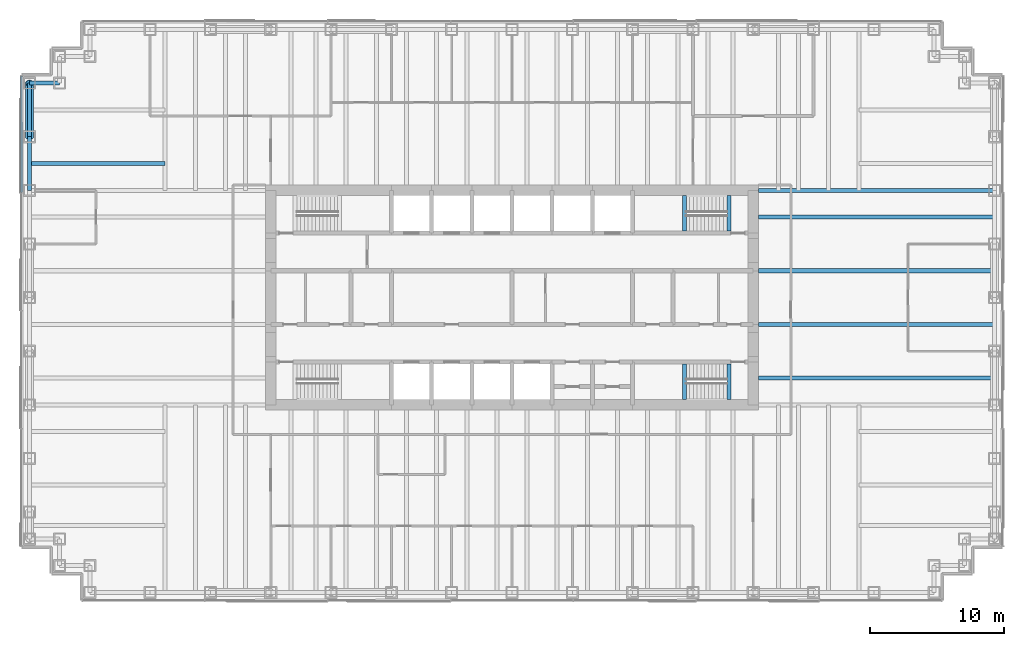
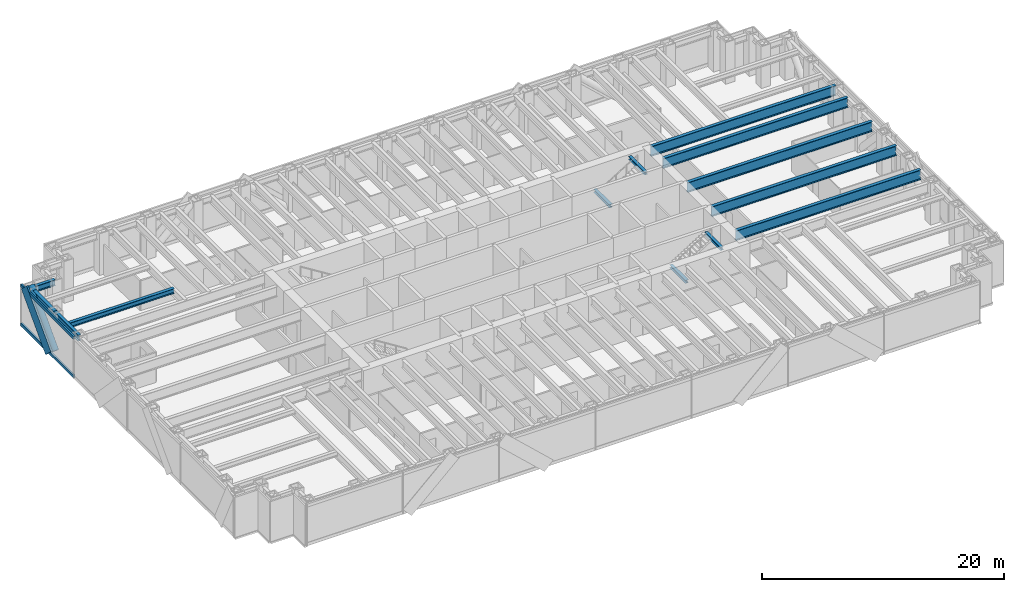
# One storey, part 4 of 14: 13 beams, 4 members, 1 element without a shape of its own.
"""IFC4 building model written with IfcOpenShell, lengths in metres."""

from ifc_helpers import new_model, si_unit, direction, frame, origin, origin_2d, place, context, subcontext, project, spatial, rectangle, hollow_circle, i_section, extrude, material, material_profile, profile_set, type_object, element, aggregate, save


model = new_model("IFC4")

# Units and contexts
model_context = context("Model", 3, precision=1e-05, world=origin(), true_north=direction((0.0, 1.0)))
body_context = subcontext(model_context, "Body", "Model", "MODEL_VIEW")
ifc_project = project(units=[si_unit("LENGTHUNIT", "METRE"), si_unit("AREAUNIT", "SQUARE_METRE"), si_unit("VOLUMEUNIT", "CUBIC_METRE"), si_unit("PLANEANGLEUNIT", "RADIAN"), si_unit("MASSUNIT", "GRAM", prefix="KILO")], contexts=[model_context])

# Site, building, storey
site_placement = place(None, origin())
site = spatial("IfcSite", under=ifc_project, at=site_placement, CompositionType="ELEMENT")
building_placement = place(site_placement, origin())
building = spatial("IfcBuilding", under=site, at=building_placement, Name="Rheinbord Bourse Tower", CompositionType="ELEMENT")
storey_placement = place(building_placement, frame((0.0, 0.0, 194.199951171875)))
storey = spatial("IfcBuildingStorey", under=building, at=storey_placement, Name="L43", CompositionType="ELEMENT", Elevation=194.199951171875)

# Curtain wall, members
ifc_material_1 = material(Name="Dark glass and black aluminium", Category="aluminium")
curtain_wall_type = type_object("IfcCurtainWallType", Name="CW2 DARK GLASS CURTAIN WALL", PredefinedType="USERDEFINED", material=ifc_material_1)
curtain_wall_placement = place(storey_placement, origin())
curtain_wall = element("IfcCurtainWall", 1, at=curtain_wall_placement, inside=storey, type_object=curtain_wall_type, Name="Curtain wall CW2 W L43", ObjectType="UNITISED CURTAIN WALL", PredefinedType="USERDEFINED")
ifc_material_2 = material(Name="Black anodised aluminium", Category="aluminium")
ifc_material_profile_1 = material_profile(ifc_material_2, rectangle(XDim=0.159912109375, YDim=1.2099609375, at=origin_2d()), Name="CW2 DIAGONAL MULLION 1210x160")
ifc_profile_set_1 = profile_set([ifc_material_profile_1], Name="Black anodised aluminium")
member_type_1 = type_object("IfcMemberType", Name="CW2 BLACK DIAGONAL MULLION", PredefinedType="USERDEFINED", material=ifc_profile_set_1)
member_1_placement = place(storey_placement, frame((-0.60009765625, 36.0, 0.0), z_axis=(0.0, 0.689659376744, 0.724133926887), x_axis=(-1.0, 0.0, 0.0)))
member_1 = element("IfcMember", 2, at=member_1_placement, type_object=member_type_1, Name="CW2 diagonal mullion a", ObjectType="DIAGONAL MULLION", PredefinedType="USERDEFINED", context=body_context, shape_type="SweptSolid", body=[
    extrude(rectangle(XDim=0.159912109375, YDim=1.2099609375, at=origin_2d()), origin(), (0.0, 0.0, 1.0), 5.800048828125),
])
ifc_material_3 = material(Name="Black anodised aluminium", Category="aluminium")
ifc_material_profile_2 = material_profile(ifc_material_3, rectangle(XDim=0.159912109375, YDim=0.300048828125, at=origin_2d()), Name="CW2 TRANSOM 300x160")
ifc_profile_set_2 = profile_set([ifc_material_profile_2], Name="Black anodised aluminium")
member_type_2 = type_object("IfcMemberType", Name="CW2 BLACK TRANSOM", PredefinedType="USERDEFINED", material=ifc_profile_set_2)
member_2_placement = place(storey_placement, frame((-0.60009765625, 40.530029296875, 0.150146484375), z_axis=(0.0, -1.0, 0.0), x_axis=(1.0, 0.0, 0.0)))
member_2 = element("IfcMember", 3, at=member_2_placement, type_object=member_type_2, Name="CW2 transom 1.1", ObjectType="TRANSOM", PredefinedType="USERDEFINED", context=body_context, shape_type="SweptSolid", body=[
    extrude(rectangle(XDim=0.159912109375, YDim=0.300048828125, at=origin_2d()), origin(), (0.0, 0.0, 1.0), 8.695068359375),
])
member_3_placement = place(storey_placement, frame((-0.60009765625, 40.530029296875, 4.050048828125), z_axis=(0.0, -1.0, 0.0), x_axis=(1.0, 0.0, 0.0)))
member_3 = element("IfcMember", 4, at=member_3_placement, type_object=member_type_2, Name="CW2 transom 1.2", ObjectType="TRANSOM", PredefinedType="USERDEFINED", context=body_context, shape_type="SweptSolid", body=[
    extrude(rectangle(XDim=0.159912109375, YDim=0.300048828125, at=origin_2d()), origin(), (0.0, 0.0, 1.0), 8.695068359375),
])
aggregate(curtain_wall, [member_2, member_3, member_1])

# Beams
ifc_material_4 = material(Name="Steel S460", Category="steel")
ifc_material_profile_3 = material_profile(ifc_material_4, i_section(OverallWidth=0.302001953125, OverallDepth=1.008056640625, WebThickness=0.02099609375, FlangeThickness=0.0400390625, at=origin_2d()), Name="HEM 1000")
ifc_profile_set_3 = profile_set([ifc_material_profile_3], Name="Steel S460")
beam_type_1 = type_object("IfcBeamType", Name="END BEAM HEM 1000", PredefinedType="BEAM", material=ifc_profile_set_3)
for number, where, z_axis, x_axis, name in (
    (5, (54.39990234375, 18.0, 3.5361328125), (1.0, 0.0, 0.0), (0.0, 1.0, 0.0), "End beam east 18 L44"),
    (6, (54.39990234375, 22.0, 3.5361328125), (1.0, 0.0, 0.0), (0.0, 1.0, 0.0), "End beam east 22 L44"),
    (7, (54.39990234375, 26.0, 3.5361328125), (1.0, 0.0, 0.0), (0.0, 1.0, 0.0), "End beam east 26 L44"),
    (8, (54.39990234375, 30.0, 3.5361328125), (1.0, 0.0, 0.0), (0.0, 1.0, 0.0), "End beam east 30 L44"),
):
    element("IfcBeam", number, at=place(storey_placement, frame(where, z_axis=z_axis, x_axis=x_axis)), inside=storey, type_object=beam_type_1, Name=name, PredefinedType="BEAM", context=body_context, shape_type="SweptSolid", body=[
        extrude(i_section(OverallWidth=0.302001953125, OverallDepth=1.008056640625, WebThickness=0.02099609375, FlangeThickness=0.0400390625, at=origin_2d()), origin(), (0.0, 0.0, 1.0), 17.60009765625),
    ])
ifc_material_5 = material(Name="Steel S460", Category="steel")
ifc_material_profile_4 = material_profile(ifc_material_5, i_section(OverallWidth=0.302001953125, OverallDepth=1.008056640625, WebThickness=0.02099609375, FlangeThickness=0.0400390625, at=origin_2d()), Name="HEM 1000")
ifc_profile_set_4 = profile_set([ifc_material_profile_4], Name="Steel S460")
beam_type_2 = type_object("IfcBeamType", Name="GIRDER HEM 1000", PredefinedType="BEAM", material=ifc_profile_set_4)
beam_1_placement = place(storey_placement, frame((54.39990234375, 32.0, 3.5361328125), z_axis=(1.0, 0.0, 0.0), x_axis=(0.0, 1.0, 0.0)))
element("IfcBeam", 9, at=beam_1_placement, inside=storey, type_object=beam_type_2, Name="Girder east 32 L44", PredefinedType="BEAM", context=body_context, shape_type="SweptSolid", body=[
    extrude(i_section(OverallWidth=0.302001953125, OverallDepth=1.008056640625, WebThickness=0.02099609375, FlangeThickness=0.0400390625, at=origin_2d()), origin(), (0.0, 0.0, 1.0), 17.60009765625),
])
ifc_material_6 = material(Name="Steel S460", Category="steel")
ifc_material_profile_5 = material_profile(ifc_material_6, i_section(OverallWidth=0.300048828125, OverallDepth=0.300048828125, WebThickness=0.010986328125, FlangeThickness=0.01904296875, at=origin_2d()), Name="HEB 300")
ifc_profile_set_5 = profile_set([ifc_material_profile_5], Name="Steel S460")
beam_type_3 = type_object("IfcBeamType", Name="LANDING TRIMMER HEB 300", PredefinedType="BEAM", material=ifc_profile_set_5)
for number, where, z_axis, x_axis, name in (
    (10, (48.8701171875, 16.39990234375, 1.75), (0.0, 1.0, 0.0), (-1.0, 0.0, 0.0), "Landing trimmer ST3 L43"),
    (11, (52.199951171875, 16.39990234375, 3.89013671875), (0.0, 1.0, 0.0), (-1.0, 0.0, 0.0), "Well trimmer ST3 under L44"),
    (12, (48.8701171875, 28.949951171875, 1.75), (0.0, 1.0, 0.0), (-1.0, 0.0, 0.0), "Landing trimmer ST4 L43"),
    (13, (52.199951171875, 28.949951171875, 3.89013671875), (0.0, 1.0, 0.0), (-1.0, 0.0, 0.0), "Well trimmer ST4 under L44"),
):
    element("IfcBeam", number, at=place(storey_placement, frame(where, z_axis=z_axis, x_axis=x_axis)), inside=storey, type_object=beam_type_3, Name=name, PredefinedType="BEAM", context=body_context, shape_type="SweptSolid", body=[
        extrude(i_section(OverallWidth=0.300048828125, OverallDepth=0.300048828125, WebThickness=0.010986328125, FlangeThickness=0.01904296875, at=origin_2d()), origin(), (0.0, 0.0, 1.0), 2.650146484375),
    ])

# Member
ifc_material_7 = material(Name="Steel S460", Category="steel")
ifc_material_profile_6 = material_profile(ifc_material_7, hollow_circle(Radius=0.304931640625, WallThickness=0.0400390625, at=origin_2d()), Name="CHS 610x40")
ifc_profile_set_6 = profile_set([ifc_material_profile_6], Name="Steel S460")
member_type_3 = type_object("IfcMemberType", Name="MEGABRACE CHS 610x40", PredefinedType="BRACE", material=ifc_profile_set_6)
member_4_placement = place(storey_placement, frame((0.0, 36.0, 0.0), z_axis=(0.0, 0.689659376744, 0.724133926887), x_axis=(-1.0, 0.0, 0.0)))
element("IfcMember", 14, at=member_4_placement, inside=storey, type_object=member_type_3, Name="Megabrace W face line a L43", PredefinedType="BRACE", context=body_context, shape_type="SweptSolid", body=[
    extrude(hollow_circle(Radius=0.304931640625, WallThickness=0.0400390625, at=origin_2d()), origin(), (0.0, 0.0, 1.0), 5.800048828125),
])

# Beams
ifc_material_8 = material(Name="Steel S460", Category="steel")
ifc_material_profile_7 = material_profile(ifc_material_8, i_section(OverallWidth=0.300048828125, OverallDepth=0.60009765625, WebThickness=0.015380859375, FlangeThickness=0.030029296875, at=origin_2d()), Name="HEB 600")
ifc_profile_set_7 = profile_set([ifc_material_profile_7], Name="Steel S460")
beam_type_4 = type_object("IfcBeamType", Name="SPANDREL HEB 600", PredefinedType="SPANDREL", material=ifc_profile_set_7)
beam_2_placement = place(storey_placement, frame((2.25, 40.0, 3.739990234375), z_axis=(-1.0, 0.0, 0.0), x_axis=(0.0, -1.0, 0.0)))
element("IfcBeam", 15, at=beam_2_placement, inside=storey, type_object=beam_type_4, Name="Spandrel NW-B-NW-A under L44", PredefinedType="SPANDREL", context=body_context, shape_type="SweptSolid", body=[
    extrude(i_section(OverallWidth=0.300048828125, OverallDepth=0.60009765625, WebThickness=0.015380859375, FlangeThickness=0.030029296875, at=origin_2d()), origin(), (0.0, 0.0, 1.0), 2.25),
])
for number, where, z_axis, x_axis, name in (
    (16, (0.0, 40.0, 3.739990234375), (0.0, -1.0, 0.0), (1.0, 0.0, 0.0), "Spandrel NW-A-W-36 under L44"),
    (17, (0.0, 36.0, 3.739990234375), (0.0, -1.0, 0.0), (1.0, 0.0, 0.0), "Spandrel W-36-W-32 under L44"),
):
    element("IfcBeam", number, at=place(storey_placement, frame(where, z_axis=z_axis, x_axis=x_axis)), inside=storey, type_object=beam_type_4, Name=name, PredefinedType="SPANDREL", context=body_context, shape_type="SweptSolid", body=[
        extrude(i_section(OverallWidth=0.300048828125, OverallDepth=0.60009765625, WebThickness=0.015380859375, FlangeThickness=0.030029296875, at=origin_2d()), origin(), (0.0, 0.0, 1.0), 4.0),
    ])
ifc_material_9 = material(Name="Steel S460", Category="steel")
ifc_material_profile_8 = material_profile(ifc_material_9, i_section(OverallWidth=0.300048828125, OverallDepth=0.5, WebThickness=0.014404296875, FlangeThickness=0.028076171875, at=origin_2d()), Name="HEB 500")
ifc_profile_set_8 = profile_set([ifc_material_profile_8], Name="Steel S460")
beam_type_5 = type_object("IfcBeamType", Name="TIE BEAM HEB 500", PredefinedType="JOIST", material=ifc_profile_set_8)
beam_3_placement = place(storey_placement, frame((0.0, 34.0, 3.7900390625), z_axis=(1.0, 0.0, 0.0), x_axis=(0.0, 1.0, 0.0)))
element("IfcBeam", 18, at=beam_3_placement, inside=storey, type_object=beam_type_5, Name="Tie west 34 L44", PredefinedType="JOIST", context=body_context, shape_type="SweptSolid", body=[
    extrude(i_section(OverallWidth=0.300048828125, OverallDepth=0.5, WebThickness=0.014404296875, FlangeThickness=0.028076171875, at=origin_2d()), origin(), (0.0, 0.0, 1.0), 10.125),
])

save(model, "model.ifc")
